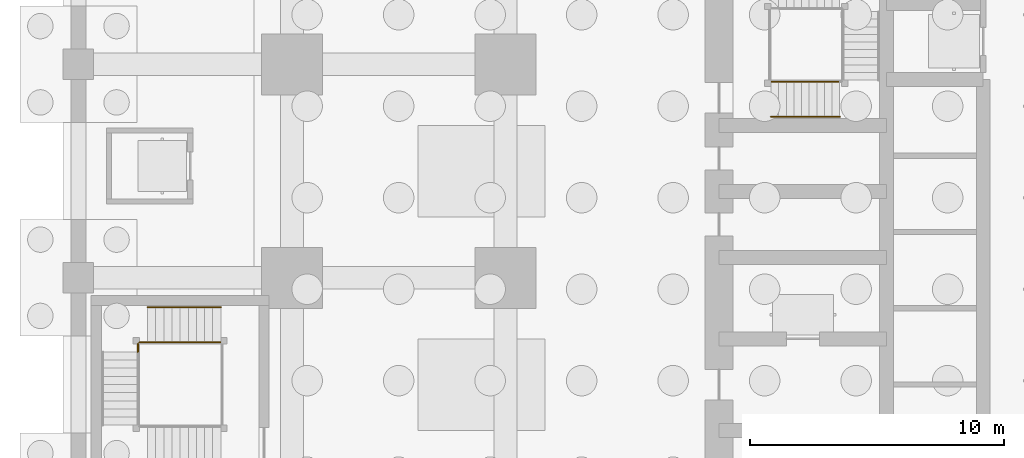
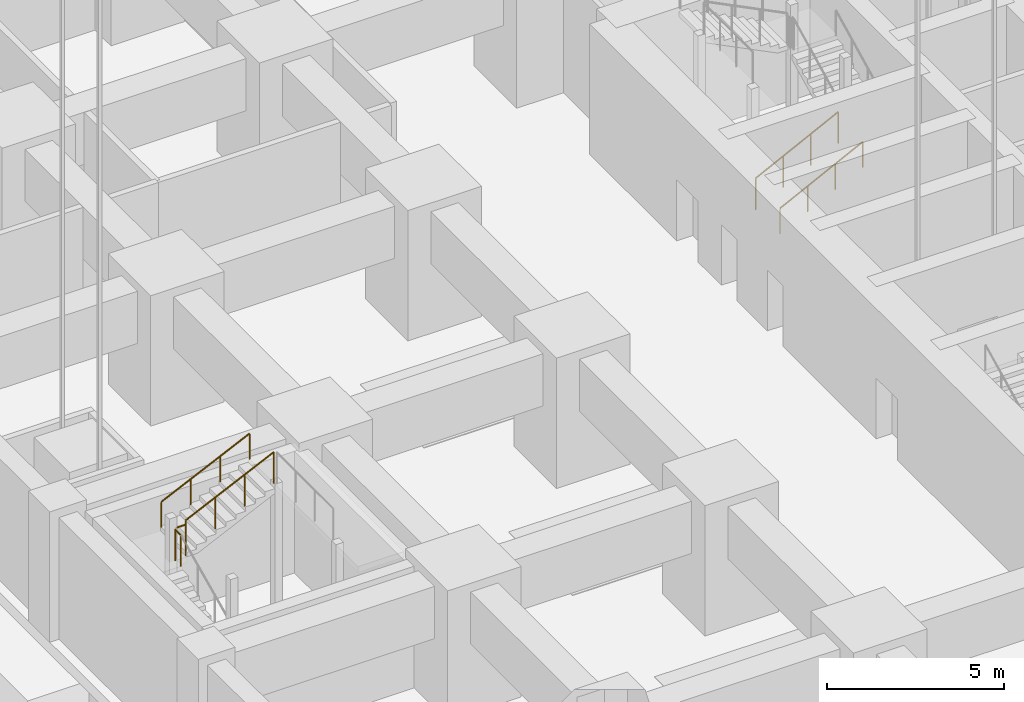
# One storey, part 16 of 28: 6 railings.
"""IFC4 building model written with IfcOpenShell, lengths in metres."""

from ifc_helpers import new_model, si_unit, direction, frame, origin, origin_2d, place, context, subcontext, project, spatial, circle, extrude, material, type_object, element, save


model = new_model("IFC4")

# Units and contexts
model_context = context("Model", 3, precision=1e-05, world=origin(), true_north=direction((0.0, 1.0)))
body_context = subcontext(model_context, "Body", "Model", "MODEL_VIEW")
ifc_project = project(units=[si_unit("LENGTHUNIT", "METRE"), si_unit("AREAUNIT", "SQUARE_METRE"), si_unit("VOLUMEUNIT", "CUBIC_METRE"), si_unit("PLANEANGLEUNIT", "RADIAN"), si_unit("MASSUNIT", "GRAM", prefix="KILO")], contexts=[model_context])

# Site, building, storey
site_placement = place(None, origin())
site = spatial("IfcSite", under=ifc_project, at=site_placement, CompositionType="ELEMENT")
building_placement = place(site_placement, origin())
building = spatial("IfcBuilding", under=site, at=building_placement, Name="Rekha Terrace Tower", CompositionType="ELEMENT")
storey_placement = place(building_placement, frame((0.0, 0.0, -9.89990234375)))
storey = spatial("IfcBuildingStorey", under=building, at=storey_placement, Name="B-02", CompositionType="ELEMENT", Elevation=-9.89990234375)

# Railings
ifc_material_1 = material(Name="Stainless steel balustrade", Category="steel")
railing_type_1 = type_object("IfcRailingType", Name="GR1 1100 stair guard", PredefinedType="GUARDRAIL", material=ifc_material_1)
railing_1_placement = place(storey_placement, frame((2.719970703125, 31.06005859375, 3.14990234375)))
element("IfcRailing", 1, at=railing_1_placement, inside=storey, type_object=railing_type_1, Name="Guard SP1 B-02 flight 3", PredefinedType="GUARDRAIL", context=body_context, shape_type="SweptSolid", body=[
    extrude(circle(Radius=0.02392578125, at=origin_2d()), frame((0.0, 0.0, 1.076171875), z_axis=(0.905454327043, 0.0, 0.424443708447), x_axis=(0.0, 1.0, 0.0)), (0.0, 0.0, 1.0), 3.180908203125),
    extrude(circle(Radius=0.02099609375, at=origin_2d()), origin(), (0.0, 0.0, 1.0), 1.052001953125),
    extrude(circle(Radius=0.02099609375, at=origin_2d()), frame((0.9599609375, 0.0, 0.449951171875)), (0.0, 0.0, 1.0), 1.052001953125),
    extrude(circle(Radius=0.02099609375, at=origin_2d()), frame((1.920166015625, 0.0, 0.900146484375)), (0.0, 0.0, 1.0), 1.052001953125),
    extrude(circle(Radius=0.02099609375, at=origin_2d()), frame((2.880126953125, 0.0, 1.35009765625)), (0.0, 0.0, 1.0), 1.052001953125),
])
railing_2_placement = place(storey_placement, frame((2.340087890625, 30.679931640625, 3.0)))
element("IfcRailing", 2, at=railing_2_placement, inside=storey, type_object=railing_type_1, Name="Guard SP1 B-02 landing 2", PredefinedType="GUARDRAIL", context=body_context, shape_type="SweptSolid", body=[
    extrude(circle(Radius=0.02392578125, at=origin_2d()), frame((0.0, 0.0, 1.076171875), z_axis=(0.0, 1.0, 0.0), x_axis=(-1.0, 0.0, 0.0)), (0.0, 0.0, 1.0), 0.320068359375),
    extrude(circle(Radius=0.02099609375, at=origin_2d()), origin(), (0.0, 0.0, 1.0), 1.052001953125),
    extrude(circle(Radius=0.02099609375, at=origin_2d()), frame((0.0, 0.320068359375, 0.0)), (0.0, 0.0, 1.0), 1.052001953125),
])
railing_3_placement = place(storey_placement, frame((2.719970703125, 31.06005859375, 3.0)))
element("IfcRailing", 3, at=railing_3_placement, inside=storey, type_object=railing_type_1, Name="Guard SP1 B-02 landing 3", PredefinedType="GUARDRAIL", context=body_context, shape_type="SweptSolid", body=[
    extrude(circle(Radius=0.02392578125, at=origin_2d()), frame((0.0, 0.0, 1.076171875), z_axis=(-1.0, 0.0, 0.0), x_axis=(0.0, -1.0, 0.0)), (0.0, 0.0, 1.0), 0.320068359375),
    extrude(circle(Radius=0.02099609375, at=origin_2d()), origin(), (0.0, 0.0, 1.0), 1.052001953125),
    extrude(circle(Radius=0.02099609375, at=origin_2d()), frame((-0.320068359375, 0.0, 0.0)), (0.0, 0.0, 1.0), 1.052001953125),
])
railing_4_placement = place(storey_placement, frame((27.25, 41.31494140625, 0.14990234375)))
element("IfcRailing", 4, at=railing_4_placement, inside=storey, type_object=railing_type_1, Name="Guard ST4 B-02 flight 1", PredefinedType="GUARDRAIL", context=body_context, shape_type="SweptSolid", body=[
    extrude(circle(Radius=0.02392578125, at=origin_2d()), frame((0.0, 0.0, 1.076171875), z_axis=(0.894411015155, 0.0, 0.447245945728), x_axis=(0.0, 1.0, 0.0)), (0.0, 0.0, 1.0), 3.018798828125),
    extrude(circle(Radius=0.02099609375, at=origin_2d()), origin(), (0.0, 0.0, 1.0), 1.052001953125),
    extrude(circle(Radius=0.02099609375, at=origin_2d()), frame((0.89990234375, 0.0, 0.449951171875)), (0.0, 0.0, 1.0), 1.052001953125),
    extrude(circle(Radius=0.02099609375, at=origin_2d()), frame((1.800048828125, 0.0, 0.900146484375)), (0.0, 0.0, 1.0), 1.052001953125),
    extrude(circle(Radius=0.02099609375, at=origin_2d()), frame((2.699951171875, 0.0, 1.35009765625)), (0.0, 0.0, 1.0), 1.052001953125),
])
ifc_material_2 = material(Name="Stainless steel tube", Category="steel")
railing_type_2 = type_object("IfcRailingType", Name="HR1 900 stair handrail", PredefinedType="HANDRAIL", material=ifc_material_2)
railing_5_placement = place(storey_placement, frame((2.719970703125, 32.43994140625, 3.14990234375)))
element("IfcRailing", 5, at=railing_5_placement, inside=storey, type_object=railing_type_2, Name="Handrail SP1 B-02 flight 3", PredefinedType="HANDRAIL", context=body_context, shape_type="SweptSolid", body=[
    extrude(circle(Radius=0.02392578125, at=origin_2d()), frame((0.0, 0.0, 0.8759765625), z_axis=(0.905454327043, 0.0, 0.424443708447), x_axis=(0.0, 1.0, 0.0)), (0.0, 0.0, 1.0), 3.180908203125),
    extrude(circle(Radius=0.02099609375, at=origin_2d()), origin(), (0.0, 0.0, 1.0), 0.851806640625),
    extrude(circle(Radius=0.02099609375, at=origin_2d()), frame((0.9599609375, 0.0, 0.449951171875)), (0.0, 0.0, 1.0), 0.851806640625),
    extrude(circle(Radius=0.02099609375, at=origin_2d()), frame((1.920166015625, 0.0, 0.900146484375)), (0.0, 0.0, 1.0), 0.851806640625),
    extrude(circle(Radius=0.02099609375, at=origin_2d()), frame((2.880126953125, 0.0, 1.35009765625)), (0.0, 0.0, 1.0), 0.851806640625),
])
railing_6_placement = place(storey_placement, frame((27.25, 39.93505859375, 0.14990234375)))
element("IfcRailing", 6, at=railing_6_placement, inside=storey, type_object=railing_type_2, Name="Handrail ST4 B-02 flight 1", PredefinedType="HANDRAIL", context=body_context, shape_type="SweptSolid", body=[
    extrude(circle(Radius=0.02392578125, at=origin_2d()), frame((0.0, 0.0, 0.8759765625), z_axis=(0.894411015155, 0.0, 0.447245945728), x_axis=(0.0, 1.0, 0.0)), (0.0, 0.0, 1.0), 3.018798828125),
    extrude(circle(Radius=0.02099609375, at=origin_2d()), origin(), (0.0, 0.0, 1.0), 0.851806640625),
    extrude(circle(Radius=0.02099609375, at=origin_2d()), frame((0.89990234375, 0.0, 0.449951171875)), (0.0, 0.0, 1.0), 0.851806640625),
    extrude(circle(Radius=0.02099609375, at=origin_2d()), frame((1.800048828125, 0.0, 0.900146484375)), (0.0, 0.0, 1.0), 0.851806640625),
    extrude(circle(Radius=0.02099609375, at=origin_2d()), frame((2.699951171875, 0.0, 1.35009765625)), (0.0, 0.0, 1.0), 0.851806640625),
])

save(model, "model.ifc")
